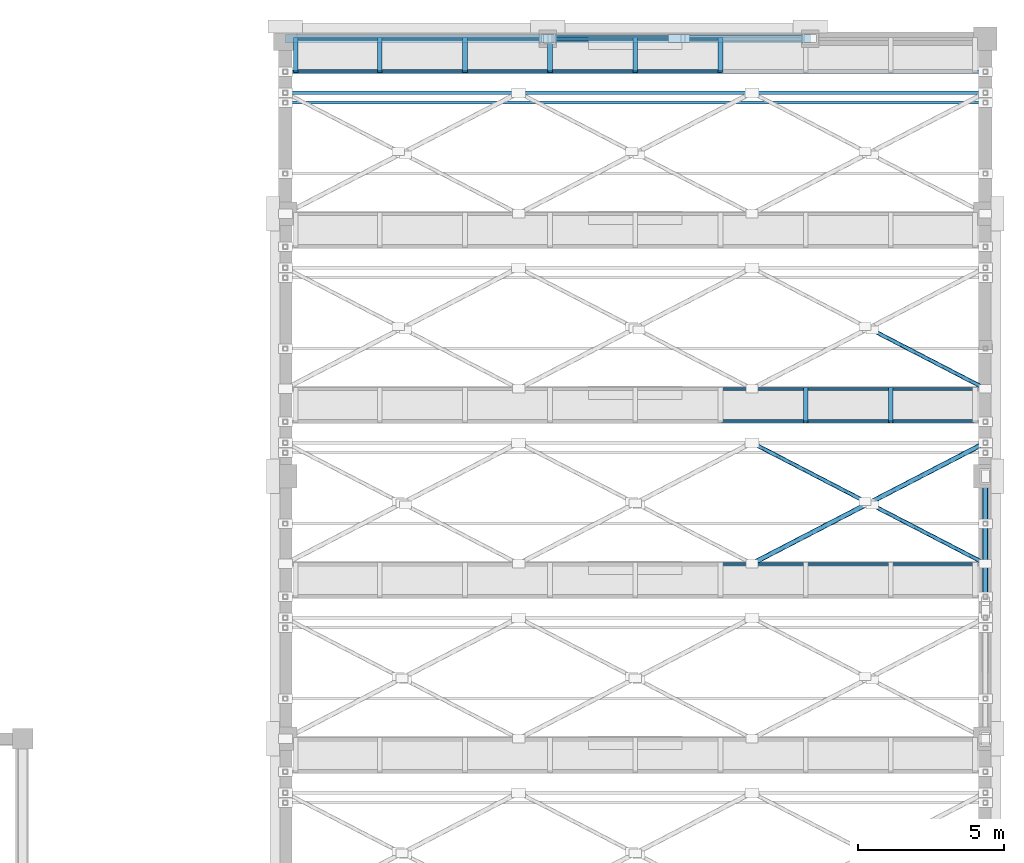
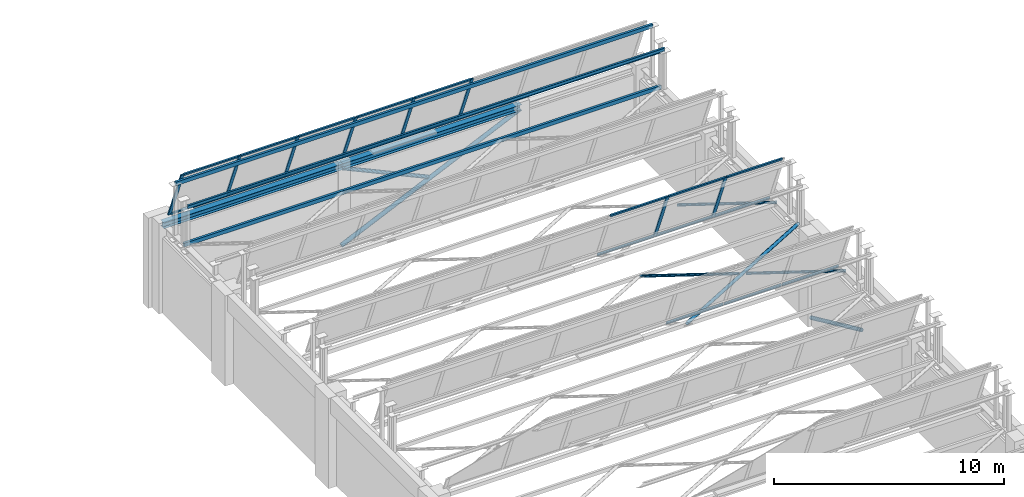
# One storey, part 61 of 98: 36 members, 3 beams, 3 elements without a shape of their own.
"""IFC4 building model written with IfcOpenShell, lengths in metres."""

from ifc_helpers import new_model, si_unit, direction, frame, origin, origin_2d, place, context, subcontext, project, spatial, hollow_rectangle, hollow_circle, i_section, extrude, material, material_profile, profile_set, type_object, element, aggregate, save


model = new_model("IFC4")

# Units and contexts
model_context = context("Model", 3, precision=1e-05, world=origin(), true_north=direction((0.0, 1.0)))
body_context = subcontext(model_context, "Body", "Model", "MODEL_VIEW")
ifc_project = project(units=[si_unit("LENGTHUNIT", "METRE"), si_unit("AREAUNIT", "SQUARE_METRE"), si_unit("VOLUMEUNIT", "CUBIC_METRE"), si_unit("PLANEANGLEUNIT", "RADIAN"), si_unit("MASSUNIT", "GRAM", prefix="KILO")], contexts=[model_context])

# Site, building, storey
site_placement = place(None, origin())
site = spatial("IfcSite", under=ifc_project, at=site_placement, CompositionType="ELEMENT")
building_placement = place(site_placement, origin())
building = spatial("IfcBuilding", under=site, at=building_placement, Name="Lykobir Media Centre", CompositionType="ELEMENT")
storey_placement = place(building_placement, frame((0.0, 0.0, 10.199951171875)))
storey = spatial("IfcBuildingStorey", under=building, at=storey_placement, Name="L02", CompositionType="ELEMENT", Elevation=10.199951171875)

# Members
ifc_material_1 = material(Name="Steel S355", Category="steel")
ifc_material_profile_1 = material_profile(ifc_material_1, hollow_circle(Radius=0.06982421875, WallThickness=0.008056640625, at=origin_2d()), Name="CHS 139.7x8.0")
ifc_profile_set_1 = profile_set([ifc_material_profile_1], Name="Steel S355")
member_type_1 = type_object("IfcMemberType", Name="BR-CHS140", PredefinedType="BRACE", material=ifc_profile_set_1)
member_1_placement = place(storey_placement, frame((168.0, 96.0, 4.43994140625), z_axis=(-0.887879780504, 0.460075532247, 0.0), x_axis=(-0.460075532247, -0.887879780504, 0.0)))
element("IfcMember", 1, at=member_1_placement, inside=storey, type_object=member_type_1, Name="Diagonal brace MEM2-L02-1680-0960-0146-1641-0980-0375", PredefinedType="BRACE", context=body_context, shape_type="SweptSolid", body=[
    extrude(hollow_circle(Radius=0.06982421875, WallThickness=0.008056640625, at=origin_2d()), origin(), (0.0, 0.0, 1.0), 4.365234375),
])
member_2_placement = place(storey_placement, frame((163.875732421875, 98.136962890625, 4.43994140625), z_axis=(-0.88790262671, 0.460031439666, 0.0), x_axis=(-0.460031439666, -0.88790262671, 0.0)))
element("IfcMember", 2, at=member_2_placement, inside=storey, type_object=member_type_1, Name="Diagonal brace MEM2-L02-1639-0981-0146-1600-1001-0376", PredefinedType="BRACE", context=body_context, shape_type="SweptSolid", body=[
    extrude(hollow_circle(Radius=0.06982421875, WallThickness=0.008056640625, at=origin_2d()), origin(), (0.0, 0.0, 1.0), 4.364990234375),
])
member_3_placement = place(storey_placement, frame((168.0, 102.0, 4.43994140625), z_axis=(-0.887879780504, 0.460075532247, 0.0), x_axis=(-0.460075532247, -0.887879780504, 0.0)))
element("IfcMember", 3, at=member_3_placement, inside=storey, type_object=member_type_1, Name="Diagonal brace MEM2-L02-1680-1020-0146-1641-1040-0395", PredefinedType="BRACE", context=body_context, shape_type="SweptSolid", body=[
    extrude(hollow_circle(Radius=0.06982421875, WallThickness=0.008056640625, at=origin_2d()), origin(), (0.0, 0.0, 1.0), 4.365234375),
])
ifc_material_profile_2 = material_profile(ifc_material_1, hollow_circle(Radius=0.084228515625, WallThickness=0.010009765625, at=origin_2d()), Name="CHS 168.3x10.0")
ifc_profile_set_2 = profile_set([ifc_material_profile_2], Name="Steel S355")
member_type_2 = type_object("IfcMemberType", Name="BR-CHS168", PredefinedType="BRACE", material=ifc_profile_set_2)
member_4_placement = place(storey_placement, frame((160.0, 96.0, 4.43994140625), z_axis=(0.887896386773, 0.460043483113, 0.0), x_axis=(-0.460043483113, 0.887896386773, 0.0)))
element("IfcMember", 4, at=member_4_placement, inside=storey, type_object=member_type_2, Name="Diagonal brace MEM2-L02-1600-0960-0146-1680-1001-0374", PredefinedType="BRACE", context=body_context, shape_type="SweptSolid", body=[
    extrude(hollow_circle(Radius=0.084228515625, WallThickness=0.010009765625, at=origin_2d()), origin(), (0.0, 0.0, 1.0), 9.010009765625),
])
ifc_material_profile_3 = material_profile(ifc_material_1, hollow_circle(Radius=0.096923828125, WallThickness=0.010009765625, at=origin_2d()), Name="CHS 193.7x10.0")
ifc_profile_set_3 = profile_set([ifc_material_profile_3], Name="Steel S355")
member_type_3 = type_object("IfcMemberType", Name="BR-CHS194-E", PredefinedType="BRACE", material=ifc_profile_set_3)
for number, where, z_axis, x_axis, name in (
    (5, (168.0, 99.0, 0.1201171875), (0.0, -0.909254600078, 0.416240401976), (1.0, 0.0, 0.0), "Diagonal brace MEM2-L02-1680-0990-0103-1680-0946-0549"),
    (6, (157.3544921875, 114.0, 2.24658203125), (-0.909254600078, 0.0, 0.416240401976), (0.0, -1.0, 0.0), "Diagonal brace MEM2-L02-1574-1140-0124-1530-1140-0571"),
):
    element("IfcMember", number, at=place(storey_placement, frame(where, z_axis=z_axis, x_axis=x_axis)), inside=storey, type_object=member_type_3, Name=name, PredefinedType="BRACE", context=body_context, shape_type="SweptSolid", body=[
        extrude(hollow_circle(Radius=0.096923828125, WallThickness=0.010009765625, at=origin_2d()), origin(), (0.0, 0.0, 1.0), 4.7890625),
    ])
ifc_material_profile_4 = material_profile(ifc_material_1, hollow_circle(Radius=0.109619140625, WallThickness=0.012451171875, at=origin_2d()), Name="CHS 219.1x12.5")
ifc_profile_set_4 = profile_set([ifc_material_profile_4], Name="Steel S355")
member_type_4 = type_object("IfcMemberType", Name="BR-CHS219-E", PredefinedType="BRACE", material=ifc_profile_set_4)
member_5_placement = place(storey_placement, frame((153.0, 114.0, 0.1201171875), z_axis=(0.909260911954, 0.0, 0.416226613748), x_axis=(0.0, 1.0, 0.0)))
element("IfcMember", 7, at=member_5_placement, inside=storey, type_object=member_type_4, Name="Diagonal brace MEM2-L02-1530-1140-0103-1620-1140-0569", PredefinedType="BRACE", context=body_context, shape_type="SweptSolid", body=[
    extrude(hollow_circle(Radius=0.109619140625, WallThickness=0.012451171875, at=origin_2d()), origin(), (0.0, 0.0, 1.0), 9.898193359375),
])

# Curtain wall, members
ifc_material_2 = material(Name="Anodized Aluminium AW-6060", Category="aluminium")
curtain_wall_type = type_object("IfcCurtainWallType", Name="CW-NL-V2", PredefinedType="NOTDEFINED", material=ifc_material_2)
curtain_wall_1_placement = place(storey_placement, origin())
curtain_wall_1 = element("IfcCurtainWall", 8, at=curtain_wall_1_placement, inside=storey, type_object=curtain_wall_type, Name="Curtain wall CW-NL-V2-05", PredefinedType="NOTDEFINED")
ifc_material_profile_5 = material_profile(ifc_material_2, hollow_rectangle(XDim=0.070068359375, YDim=0.1650390625, WallThickness=0.00390625, at=origin_2d()), Name="ALU MULLION 70x165")
ifc_profile_set_5 = profile_set([ifc_material_profile_5], Name="Anodized Aluminium AW-6060")
member_type_5 = type_object("IfcMemberType", Name="CWM-165", PredefinedType="MULLION", material=ifc_profile_set_5)
member_6_placement = place(storey_placement, frame((161.840087890625, 102.0, 4.800048828125), z_axis=(0.0, -0.374653582974, 0.927164868168), x_axis=(0.0, 0.927164868168, 0.374653582974)))
member_6 = element("IfcMember", 9, at=member_6_placement, type_object=member_type_5, Name="CW-NL-V2-05 mullion 7", PredefinedType="MULLION", context=body_context, shape_type="SweptSolid", body=[
    extrude(hollow_rectangle(XDim=0.070068359375, YDim=0.1650390625, WallThickness=0.00390625, at=origin_2d()), origin(), (0.0, 0.0, 1.0), 3.029541015625),
])
member_7_placement = place(storey_placement, frame((164.760009765625, 102.0, 4.800048828125), z_axis=(0.0, -0.374653582974, 0.927164868168), x_axis=(0.0, 0.927164868168, 0.374653582974)))
member_7 = element("IfcMember", 10, at=member_7_placement, type_object=member_type_5, Name="CW-NL-V2-05 mullion 8", PredefinedType="MULLION", context=body_context, shape_type="SweptSolid", body=[
    extrude(hollow_rectangle(XDim=0.070068359375, YDim=0.1650390625, WallThickness=0.00390625, at=origin_2d()), origin(), (0.0, 0.0, 1.0), 3.029541015625),
])

curtain_wall_2_placement = place(storey_placement, origin())
curtain_wall_2 = element("IfcCurtainWall", 11, at=curtain_wall_2_placement, inside=storey, type_object=curtain_wall_type, Name="Curtain wall CW-NL-V2-07", PredefinedType="NOTDEFINED")
member_8_placement = place(storey_placement, frame((144.35498046875, 114.0, 4.800048828125), z_axis=(0.0, -0.374653582974, 0.927164868168), x_axis=(0.0, 0.927164868168, 0.374653582974)))
member_8 = element("IfcMember", 12, at=member_8_placement, type_object=member_type_5, Name="CW-NL-V2-07 mullion 1", PredefinedType="MULLION", context=body_context, shape_type="SweptSolid", body=[
    extrude(hollow_rectangle(XDim=0.070068359375, YDim=0.1650390625, WallThickness=0.00390625, at=origin_2d()), origin(), (0.0, 0.0, 1.0), 3.029541015625),
])
member_9_placement = place(storey_placement, frame((147.239990234375, 114.0, 4.800048828125), z_axis=(0.0, -0.374653582974, 0.927164868168), x_axis=(0.0, 0.927164868168, 0.374653582974)))
member_9 = element("IfcMember", 13, at=member_9_placement, type_object=member_type_5, Name="CW-NL-V2-07 mullion 2", PredefinedType="MULLION", context=body_context, shape_type="SweptSolid", body=[
    extrude(hollow_rectangle(XDim=0.070068359375, YDim=0.1650390625, WallThickness=0.00390625, at=origin_2d()), origin(), (0.0, 0.0, 1.0), 3.029541015625),
])
member_10_placement = place(storey_placement, frame((150.159912109375, 114.0, 4.800048828125), z_axis=(0.0, -0.374653582974, 0.927164868168), x_axis=(0.0, 0.927164868168, 0.374653582974)))
member_10 = element("IfcMember", 14, at=member_10_placement, type_object=member_type_5, Name="CW-NL-V2-07 mullion 3", PredefinedType="MULLION", context=body_context, shape_type="SweptSolid", body=[
    extrude(hollow_rectangle(XDim=0.070068359375, YDim=0.1650390625, WallThickness=0.00390625, at=origin_2d()), origin(), (0.0, 0.0, 1.0), 3.029541015625),
])
member_11_placement = place(storey_placement, frame((153.080078125, 114.0, 4.800048828125), z_axis=(0.0, -0.374653582974, 0.927164868168), x_axis=(0.0, 0.927164868168, 0.374653582974)))
member_11 = element("IfcMember", 15, at=member_11_placement, type_object=member_type_5, Name="CW-NL-V2-07 mullion 4", PredefinedType="MULLION", context=body_context, shape_type="SweptSolid", body=[
    extrude(hollow_rectangle(XDim=0.070068359375, YDim=0.1650390625, WallThickness=0.00390625, at=origin_2d()), origin(), (0.0, 0.0, 1.0), 3.029541015625),
])
member_12_placement = place(storey_placement, frame((156.0, 114.0, 4.800048828125), z_axis=(0.0, -0.374653582974, 0.927164868168), x_axis=(0.0, 0.927164868168, 0.374653582974)))
member_12 = element("IfcMember", 16, at=member_12_placement, type_object=member_type_5, Name="CW-NL-V2-07 mullion 5", PredefinedType="MULLION", context=body_context, shape_type="SweptSolid", body=[
    extrude(hollow_rectangle(XDim=0.070068359375, YDim=0.1650390625, WallThickness=0.00390625, at=origin_2d()), origin(), (0.0, 0.0, 1.0), 3.029541015625),
])
member_13_placement = place(storey_placement, frame((158.919921875, 114.0, 4.800048828125), z_axis=(0.0, -0.374653582974, 0.927164868168), x_axis=(0.0, 0.927164868168, 0.374653582974)))
member_13 = element("IfcMember", 17, at=member_13_placement, type_object=member_type_5, Name="CW-NL-V2-07 mullion 6", PredefinedType="MULLION", context=body_context, shape_type="SweptSolid", body=[
    extrude(hollow_rectangle(XDim=0.070068359375, YDim=0.1650390625, WallThickness=0.00390625, at=origin_2d()), origin(), (0.0, 0.0, 1.0), 3.029541015625),
])

curtain_wall_3_placement = place(storey_placement, origin())
curtain_wall_3 = element("IfcCurtainWall", 18, at=curtain_wall_3_placement, inside=storey, type_object=curtain_wall_type, Name="Curtain wall CW-NL-V2-04", PredefinedType="NOTDEFINED")
ifc_material_profile_6 = material_profile(ifc_material_2, hollow_rectangle(XDim=0.070068359375, YDim=0.135009765625, WallThickness=0.00341796875, at=origin_2d()), Name="ALU TRANSOM 70x135")
ifc_profile_set_6 = profile_set([ifc_material_profile_6], Name="Anodized Aluminium AW-6060")
member_type_6 = type_object("IfcMemberType", Name="CWT-135", PredefinedType="USERDEFINED", material=ifc_profile_set_6)
member_14_placement = place(storey_placement, frame((158.955078125, 95.98681640625, 4.83251953125), z_axis=(1.0, 0.0, 0.0), x_axis=(0.0, 0.927183854567, 0.374606593416)))
member_14 = element("IfcMember", 19, at=member_14_placement, type_object=member_type_6, Name="CW-NL-V2-04 transom 6.1", ObjectType="TRANSOM", PredefinedType="USERDEFINED", context=body_context, shape_type="SweptSolid", body=[
    extrude(hollow_rectangle(XDim=0.070068359375, YDim=0.135009765625, WallThickness=0.00341796875, at=origin_2d()), origin(), (0.0, 0.0, 1.0), 2.849853515625),
])
member_15_placement = place(storey_placement, frame((161.875, 95.98681640625, 4.83251953125), z_axis=(1.0, 0.0, 0.0), x_axis=(0.0, 0.927183854567, 0.374606593416)))
member_15 = element("IfcMember", 20, at=member_15_placement, type_object=member_type_6, Name="CW-NL-V2-04 transom 7.1", ObjectType="TRANSOM", PredefinedType="USERDEFINED", context=body_context, shape_type="SweptSolid", body=[
    extrude(hollow_rectangle(XDim=0.070068359375, YDim=0.135009765625, WallThickness=0.00341796875, at=origin_2d()), origin(), (0.0, 0.0, 1.0), 2.85009765625),
])
member_16_placement = place(storey_placement, frame((164.794921875, 95.98681640625, 4.83251953125), z_axis=(1.0, 0.0, 0.0), x_axis=(0.0, 0.927183854567, 0.374606593416)))
member_16 = element("IfcMember", 21, at=member_16_placement, type_object=member_type_6, Name="CW-NL-V2-04 transom 8.1", ObjectType="TRANSOM", PredefinedType="USERDEFINED", context=body_context, shape_type="SweptSolid", body=[
    extrude(hollow_rectangle(XDim=0.070068359375, YDim=0.135009765625, WallThickness=0.00341796875, at=origin_2d()), origin(), (0.0, 0.0, 1.0), 2.815185546875),
])
aggregate(curtain_wall_3, [member_14, member_15, member_16])

# Member
member_17_placement = place(storey_placement, frame((158.955078125, 101.98681640625, 4.83251953125), z_axis=(1.0, 0.0, 0.0), x_axis=(0.0, 0.927183854567, 0.374606593416)))
member_17 = element("IfcMember", 22, at=member_17_placement, type_object=member_type_6, Name="CW-NL-V2-05 transom 6.1", ObjectType="TRANSOM", PredefinedType="USERDEFINED", context=body_context, shape_type="SweptSolid", body=[
    extrude(hollow_rectangle(XDim=0.070068359375, YDim=0.135009765625, WallThickness=0.00341796875, at=origin_2d()), origin(), (0.0, 0.0, 1.0), 2.849853515625),
])

member_18_placement = place(storey_placement, frame((158.955078125, 100.878173828125, 7.57666015625), z_axis=(1.0, 0.0, 0.0), x_axis=(0.0, 0.927183854567, 0.374606593416)))
member_18 = element("IfcMember", 23, at=member_18_placement, type_object=member_type_6, Name="CW-NL-V2-05 transom 6.2", ObjectType="TRANSOM", PredefinedType="USERDEFINED", context=body_context, shape_type="SweptSolid", body=[
    extrude(hollow_rectangle(XDim=0.070068359375, YDim=0.135009765625, WallThickness=0.00341796875, at=origin_2d()), origin(), (0.0, 0.0, 1.0), 2.849853515625),
])

member_19_placement = place(storey_placement, frame((161.875, 101.98681640625, 4.83251953125), z_axis=(1.0, 0.0, 0.0), x_axis=(0.0, 0.927183854567, 0.374606593416)))
member_19 = element("IfcMember", 24, at=member_19_placement, type_object=member_type_6, Name="CW-NL-V2-05 transom 7.1", ObjectType="TRANSOM", PredefinedType="USERDEFINED", context=body_context, shape_type="SweptSolid", body=[
    extrude(hollow_rectangle(XDim=0.070068359375, YDim=0.135009765625, WallThickness=0.00341796875, at=origin_2d()), origin(), (0.0, 0.0, 1.0), 2.85009765625),
])

member_20_placement = place(storey_placement, frame((161.875, 100.878173828125, 7.57666015625), z_axis=(1.0, 0.0, 0.0), x_axis=(0.0, 0.927183854567, 0.374606593416)))
member_20 = element("IfcMember", 25, at=member_20_placement, type_object=member_type_6, Name="CW-NL-V2-05 transom 7.2", ObjectType="TRANSOM", PredefinedType="USERDEFINED", context=body_context, shape_type="SweptSolid", body=[
    extrude(hollow_rectangle(XDim=0.070068359375, YDim=0.135009765625, WallThickness=0.00341796875, at=origin_2d()), origin(), (0.0, 0.0, 1.0), 2.85009765625),
])

member_21_placement = place(storey_placement, frame((164.794921875, 101.98681640625, 4.83251953125), z_axis=(1.0, 0.0, 0.0), x_axis=(0.0, 0.927183854567, 0.374606593416)))
member_21 = element("IfcMember", 26, at=member_21_placement, type_object=member_type_6, Name="CW-NL-V2-05 transom 8.1", ObjectType="TRANSOM", PredefinedType="USERDEFINED", context=body_context, shape_type="SweptSolid", body=[
    extrude(hollow_rectangle(XDim=0.070068359375, YDim=0.135009765625, WallThickness=0.00341796875, at=origin_2d()), origin(), (0.0, 0.0, 1.0), 2.815185546875),
])

member_22_placement = place(storey_placement, frame((164.794921875, 100.878173828125, 7.57666015625), z_axis=(1.0, 0.0, 0.0), x_axis=(0.0, 0.927183854567, 0.374606593416)))
member_22 = element("IfcMember", 27, at=member_22_placement, type_object=member_type_6, Name="CW-NL-V2-05 transom 8.2", ObjectType="TRANSOM", PredefinedType="USERDEFINED", context=body_context, shape_type="SweptSolid", body=[
    extrude(hollow_rectangle(XDim=0.070068359375, YDim=0.135009765625, WallThickness=0.00341796875, at=origin_2d()), origin(), (0.0, 0.0, 1.0), 2.815185546875),
])

aggregate(curtain_wall_1, [member_6, member_7, member_17, member_18, member_19, member_20, member_21, member_22])

member_23_placement = place(storey_placement, frame((144.389892578125, 113.98681640625, 4.83251953125), z_axis=(1.0, 0.0, 0.0), x_axis=(0.0, 0.927183854567, 0.374606593416)))
member_23 = element("IfcMember", 28, at=member_23_placement, type_object=member_type_6, Name="CW-NL-V2-07 transom 1.1", ObjectType="TRANSOM", PredefinedType="USERDEFINED", context=body_context, shape_type="SweptSolid", body=[
    extrude(hollow_rectangle(XDim=0.070068359375, YDim=0.135009765625, WallThickness=0.00341796875, at=origin_2d()), origin(), (0.0, 0.0, 1.0), 2.815185546875),
])

member_24_placement = place(storey_placement, frame((144.389892578125, 112.878173828125, 7.57666015625), z_axis=(1.0, 0.0, 0.0), x_axis=(0.0, 0.927183854567, 0.374606593416)))
member_24 = element("IfcMember", 29, at=member_24_placement, type_object=member_type_6, Name="CW-NL-V2-07 transom 1.2", ObjectType="TRANSOM", PredefinedType="USERDEFINED", context=body_context, shape_type="SweptSolid", body=[
    extrude(hollow_rectangle(XDim=0.070068359375, YDim=0.135009765625, WallThickness=0.00341796875, at=origin_2d()), origin(), (0.0, 0.0, 1.0), 2.815185546875),
])

member_25_placement = place(storey_placement, frame((147.27490234375, 113.98681640625, 4.83251953125), z_axis=(1.0, 0.0, 0.0), x_axis=(0.0, 0.927183854567, 0.374606593416)))
member_25 = element("IfcMember", 30, at=member_25_placement, type_object=member_type_6, Name="CW-NL-V2-07 transom 2.1", ObjectType="TRANSOM", PredefinedType="USERDEFINED", context=body_context, shape_type="SweptSolid", body=[
    extrude(hollow_rectangle(XDim=0.070068359375, YDim=0.135009765625, WallThickness=0.00341796875, at=origin_2d()), origin(), (0.0, 0.0, 1.0), 2.85009765625),
])

member_26_placement = place(storey_placement, frame((147.27490234375, 112.878173828125, 7.57666015625), z_axis=(1.0, 0.0, 0.0), x_axis=(0.0, 0.927183854567, 0.374606593416)))
member_26 = element("IfcMember", 31, at=member_26_placement, type_object=member_type_6, Name="CW-NL-V2-07 transom 2.2", ObjectType="TRANSOM", PredefinedType="USERDEFINED", context=body_context, shape_type="SweptSolid", body=[
    extrude(hollow_rectangle(XDim=0.070068359375, YDim=0.135009765625, WallThickness=0.00341796875, at=origin_2d()), origin(), (0.0, 0.0, 1.0), 2.85009765625),
])

member_27_placement = place(storey_placement, frame((150.195068359375, 113.98681640625, 4.83251953125), z_axis=(1.0, 0.0, 0.0), x_axis=(0.0, 0.927183854567, 0.374606593416)))
member_27 = element("IfcMember", 32, at=member_27_placement, type_object=member_type_6, Name="CW-NL-V2-07 transom 3.1", ObjectType="TRANSOM", PredefinedType="USERDEFINED", context=body_context, shape_type="SweptSolid", body=[
    extrude(hollow_rectangle(XDim=0.070068359375, YDim=0.135009765625, WallThickness=0.00341796875, at=origin_2d()), origin(), (0.0, 0.0, 1.0), 2.849853515625),
])

member_28_placement = place(storey_placement, frame((150.195068359375, 112.878173828125, 7.57666015625), z_axis=(1.0, 0.0, 0.0), x_axis=(0.0, 0.927183854567, 0.374606593416)))
member_28 = element("IfcMember", 33, at=member_28_placement, type_object=member_type_6, Name="CW-NL-V2-07 transom 3.2", ObjectType="TRANSOM", PredefinedType="USERDEFINED", context=body_context, shape_type="SweptSolid", body=[
    extrude(hollow_rectangle(XDim=0.070068359375, YDim=0.135009765625, WallThickness=0.00341796875, at=origin_2d()), origin(), (0.0, 0.0, 1.0), 2.849853515625),
])

member_29_placement = place(storey_placement, frame((153.114990234375, 113.98681640625, 4.83251953125), z_axis=(1.0, 0.0, 0.0), x_axis=(0.0, 0.927183854567, 0.374606593416)))
member_29 = element("IfcMember", 34, at=member_29_placement, type_object=member_type_6, Name="CW-NL-V2-07 transom 4.1", ObjectType="TRANSOM", PredefinedType="USERDEFINED", context=body_context, shape_type="SweptSolid", body=[
    extrude(hollow_rectangle(XDim=0.070068359375, YDim=0.135009765625, WallThickness=0.00341796875, at=origin_2d()), origin(), (0.0, 0.0, 1.0), 2.85009765625),
])

member_30_placement = place(storey_placement, frame((153.114990234375, 112.878173828125, 7.57666015625), z_axis=(1.0, 0.0, 0.0), x_axis=(0.0, 0.927183854567, 0.374606593416)))
member_30 = element("IfcMember", 35, at=member_30_placement, type_object=member_type_6, Name="CW-NL-V2-07 transom 4.2", ObjectType="TRANSOM", PredefinedType="USERDEFINED", context=body_context, shape_type="SweptSolid", body=[
    extrude(hollow_rectangle(XDim=0.070068359375, YDim=0.135009765625, WallThickness=0.00341796875, at=origin_2d()), origin(), (0.0, 0.0, 1.0), 2.85009765625),
])

member_31_placement = place(storey_placement, frame((156.034912109375, 113.98681640625, 4.83251953125), z_axis=(1.0, 0.0, 0.0), x_axis=(0.0, 0.927183854567, 0.374606593416)))
member_31 = element("IfcMember", 36, at=member_31_placement, type_object=member_type_6, Name="CW-NL-V2-07 transom 5.1", ObjectType="TRANSOM", PredefinedType="USERDEFINED", context=body_context, shape_type="SweptSolid", body=[
    extrude(hollow_rectangle(XDim=0.070068359375, YDim=0.135009765625, WallThickness=0.00341796875, at=origin_2d()), origin(), (0.0, 0.0, 1.0), 2.85009765625),
])

member_32_placement = place(storey_placement, frame((156.034912109375, 112.878173828125, 7.57666015625), z_axis=(1.0, 0.0, 0.0), x_axis=(0.0, 0.927183854567, 0.374606593416)))
member_32 = element("IfcMember", 37, at=member_32_placement, type_object=member_type_6, Name="CW-NL-V2-07 transom 5.2", ObjectType="TRANSOM", PredefinedType="USERDEFINED", context=body_context, shape_type="SweptSolid", body=[
    extrude(hollow_rectangle(XDim=0.070068359375, YDim=0.135009765625, WallThickness=0.00341796875, at=origin_2d()), origin(), (0.0, 0.0, 1.0), 2.85009765625),
])

aggregate(curtain_wall_2, [member_8, member_9, member_10, member_11, member_12, member_13, member_23, member_24, member_25, member_26, member_27, member_28, member_29, member_30, member_31, member_32])

# Beams
ifc_material_profile_7 = material_profile(ifc_material_1, i_section(OverallWidth=0.10009765625, OverallDepth=0.199951171875, WebThickness=0.005615234375, FlangeThickness=0.008544921875, at=origin_2d()), Name="IPE 200")
ifc_profile_set_7 = profile_set([ifc_material_profile_7], Name="Steel S355")
beam_type_1 = type_object("IfcBeamType", Name="PR-IPE200", PredefinedType="JOIST", material=ifc_profile_set_7)
beam_placement = place(storey_placement, frame((144.0, 111.805908203125, 6.634765625), z_axis=(1.0, 0.0, 0.0), x_axis=(0.0, 1.0, 0.0)))
element("IfcBeam", 38, at=beam_placement, inside=storey, type_object=beam_type_1, Name="Beam BM-L02-1440-1118-1680-1118-1683", PredefinedType="JOIST", context=body_context, shape_type="SweptSolid", body=[
    extrude(i_section(OverallWidth=0.10009765625, OverallDepth=0.199951171875, WebThickness=0.005615234375, FlangeThickness=0.008544921875, at=origin_2d()), origin(), (0.0, 0.0, 1.0), 24.0),
])
ifc_material_profile_8 = material_profile(ifc_material_1, i_section(OverallWidth=0.300048828125, OverallDepth=0.31005859375, WebThickness=0.009033203125, FlangeThickness=0.015380859375, at=origin_2d()), Name="HEA 320")
ifc_profile_set_8 = profile_set([ifc_material_profile_8], Name="Steel S355")
beam_type_2 = type_object("IfcBeamType", Name="SP-HEA320-E", PredefinedType="SPANDREL", material=ifc_profile_set_8)
for number, where, z_axis, x_axis, name in (
    (39, (144.0, 114.0, 4.39501953125), (1.0, 0.0, 0.0), (0.0, 1.0, 0.0), "Beam BM-L02-1440-1140-1530-1140-1460"),
    (40, (153.0, 114.0, 4.39501953125), (1.0, 0.0, 0.0), (0.0, 1.0, 0.0), "Beam BM-L02-1530-1140-1620-1140-1460"),
):
    element("IfcBeam", number, at=place(storey_placement, frame(where, z_axis=z_axis, x_axis=x_axis)), inside=storey, type_object=beam_type_2, Name=name, PredefinedType="SPANDREL", context=body_context, shape_type="SweptSolid", body=[
        extrude(i_section(OverallWidth=0.300048828125, OverallDepth=0.31005859375, WebThickness=0.009033203125, FlangeThickness=0.015380859375, at=origin_2d()), origin(), (0.0, 0.0, 1.0), 9.0),
    ])

# Members
ifc_material_profile_9 = material_profile(ifc_material_1, hollow_rectangle(XDim=0.1201171875, YDim=0.199951171875, WallThickness=0.010009765625, at=origin_2d()), Name="RHS 200x120x10")
ifc_profile_set_9 = profile_set([ifc_material_profile_9], Name="Steel S355")
member_type_7 = type_object("IfcMemberType", Name="TC-RHS200", PredefinedType="CHORD", material=ifc_profile_set_9)
for number, where, z_axis, x_axis, name in (
    (41, (144.0, 112.864990234375, 7.259033203125), (1.0, 0.0, 0.0), (0.0, 1.0, 0.0), "Truss chord MEM2-L02-1440-1129-0175-1680-1129-0406"),
    (42, (144.0, 112.14501953125, 4.43994140625), (1.0, 0.0, 0.0), (0.0, 1.0, 0.0), "Truss chord MEM2-L02-1440-1121-0146-1680-1121-0407"),
):
    element("IfcMember", number, at=place(storey_placement, frame(where, z_axis=z_axis, x_axis=x_axis)), inside=storey, type_object=member_type_7, Name=name, PredefinedType="CHORD", context=body_context, shape_type="SweptSolid", body=[
        extrude(hollow_rectangle(XDim=0.1201171875, YDim=0.199951171875, WallThickness=0.010009765625, at=origin_2d()), origin(), (0.0, 0.0, 1.0), 24.0),
    ])

save(model, "model.ifc")
